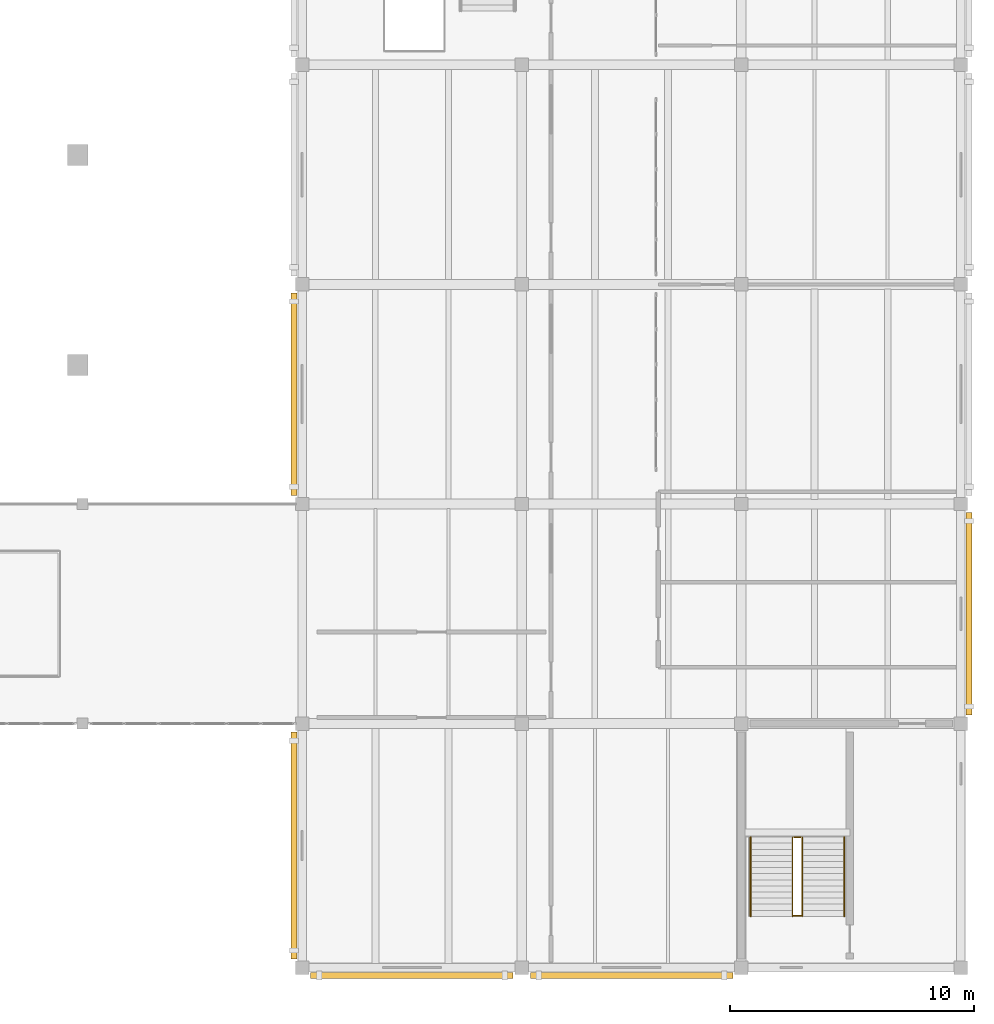
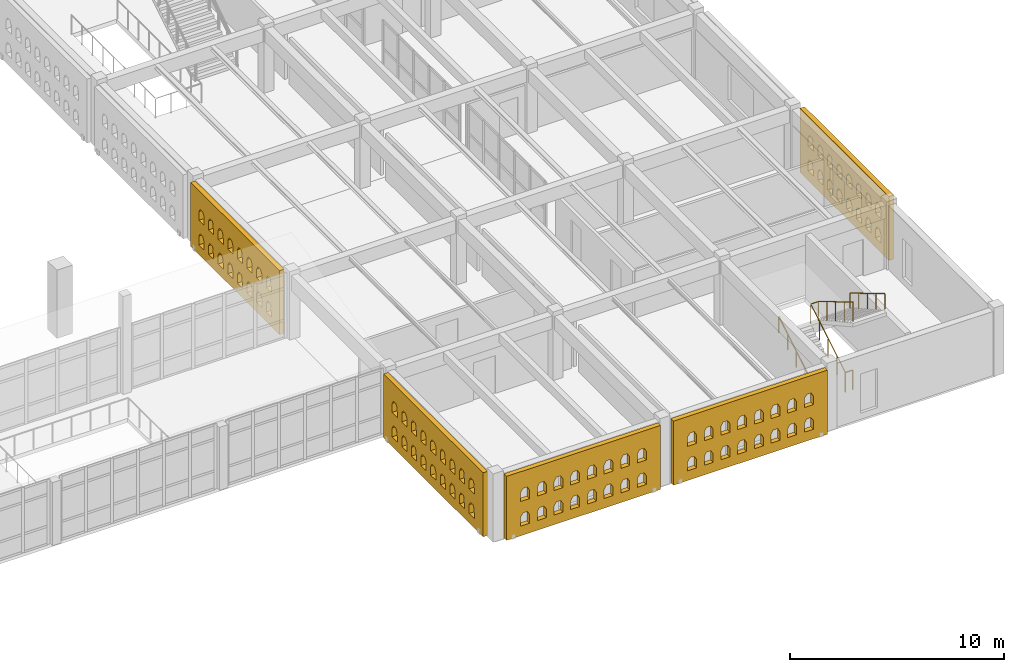
# One storey, part 152 of 156: 5 coverings, 4 railings.
"""IFC4 building model written with IfcOpenShell, lengths in metres."""

from ifc_helpers import new_model, si_unit, direction, frame, origin, origin_2d, place, context, subcontext, project, spatial, polyline, circle, outline, extrude, material, layer, layer_set, type_object, element, save


model = new_model("IFC4")

# Units and contexts
model_context = context("Model", 3, precision=1e-05, world=origin(), true_north=direction((0.0, 1.0)))
body_context = subcontext(model_context, "Body", "Model", "MODEL_VIEW")
ifc_project = project(units=[si_unit("LENGTHUNIT", "METRE"), si_unit("AREAUNIT", "SQUARE_METRE"), si_unit("VOLUMEUNIT", "CUBIC_METRE"), si_unit("PLANEANGLEUNIT", "RADIAN"), si_unit("MASSUNIT", "GRAM", prefix="KILO")], contexts=[model_context])

# Site, building, storey
site_placement = place(None, origin())
site = spatial("IfcSite", under=ifc_project, at=site_placement, CompositionType="ELEMENT")
building_placement = place(site_placement, origin())
building = spatial("IfcBuilding", under=site, at=building_placement, Name="Ornek Quay Market", CompositionType="ELEMENT")
storey_placement = place(building_placement, frame((0.0, 0.0, 4.5)))
storey = spatial("IfcBuildingStorey", under=building, at=storey_placement, Name="L01", CompositionType="ELEMENT", Elevation=4.5)

# Coverings
ifc_material_1 = material(Name="Frost-resistant facing clay brick M200 F100", Category="masonry")
ifc_layer = layer(ifc_material_1, 0.25, Name="Frost-resistant facing clay brick M200 F100", Category="masonry")
ifc_layer_set = layer_set([ifc_layer], Name="Frost-resistant facing clay brick M200 F100")
covering_type = type_object("IfcCoveringType", Name="COV-BRICK-LATTICE-250", PredefinedType="CLADDING", material=ifc_layer_set)
covering_1_placement = place(storey_placement, frame((152.669921875, 10.35009765625, 0.0), z_axis=(0.0, 0.0, 1.0), x_axis=(0.0, 1.0, 0.0)))
element("IfcCovering", 1, at=covering_1_placement, inside=storey, type_object=covering_type, Name="Arched brick lattice screen BLS-096", PredefinedType="CLADDING", context=body_context, shape_type="SweptSolid", body=[
    extrude(outline(polyline([(0.0, 0.0), (9.2998046875, 0.0), (9.2998046875, 3.64990234375), (0.0, 3.64990234375), (0.0, 0.0)]), holes=[polyline([(0.81005859375, 0.550048828125), (1.2900390625, 0.550048828125), (1.2900390625, 1.050048828125), (1.169921875, 1.2578125), (0.929931640625, 1.2578125), (0.81005859375, 1.050048828125), (0.81005859375, 0.550048828125)]), polyline([(0.81005859375, 1.949951171875), (1.2900390625, 1.949951171875), (1.2900390625, 2.449951171875), (1.169921875, 2.65771484375), (0.929931640625, 2.65771484375), (0.81005859375, 2.449951171875), (0.81005859375, 1.949951171875)]), polyline([(1.7099609375, 0.550048828125), (2.18994140625, 0.550048828125), (2.18994140625, 1.050048828125), (2.070068359375, 1.2578125), (1.830078125, 1.2578125), (1.7099609375, 1.050048828125), (1.7099609375, 0.550048828125)]), polyline([(1.7099609375, 1.949951171875), (2.18994140625, 1.949951171875), (2.18994140625, 2.449951171875), (2.070068359375, 2.65771484375), (1.830078125, 2.65771484375), (1.7099609375, 2.449951171875), (1.7099609375, 1.949951171875)]), polyline([(2.610107421875, 0.550048828125), (3.090087890625, 0.550048828125), (3.090087890625, 1.050048828125), (2.969970703125, 1.2578125), (2.72998046875, 1.2578125), (2.610107421875, 1.050048828125), (2.610107421875, 0.550048828125)]), polyline([(2.610107421875, 1.949951171875), (3.090087890625, 1.949951171875), (3.090087890625, 2.449951171875), (2.969970703125, 2.65771484375), (2.72998046875, 2.65771484375), (2.610107421875, 2.449951171875), (2.610107421875, 1.949951171875)]), polyline([(3.510009765625, 0.550048828125), (3.989990234375, 0.550048828125), (3.989990234375, 1.050048828125), (3.8701171875, 1.2578125), (3.6298828125, 1.2578125), (3.510009765625, 1.050048828125), (3.510009765625, 0.550048828125)]), polyline([(3.510009765625, 1.949951171875), (3.989990234375, 1.949951171875), (3.989990234375, 2.449951171875), (3.8701171875, 2.65771484375), (3.6298828125, 2.65771484375), (3.510009765625, 2.449951171875), (3.510009765625, 1.949951171875)]), polyline([(4.409912109375, 0.550048828125), (4.889892578125, 0.550048828125), (4.889892578125, 1.050048828125), (4.77001953125, 1.2578125), (4.530029296875, 1.2578125), (4.409912109375, 1.050048828125), (4.409912109375, 0.550048828125)]), polyline([(4.409912109375, 1.949951171875), (4.889892578125, 1.949951171875), (4.889892578125, 2.449951171875), (4.77001953125, 2.65771484375), (4.530029296875, 2.65771484375), (4.409912109375, 2.449951171875), (4.409912109375, 1.949951171875)]), polyline([(5.31005859375, 0.550048828125), (5.7900390625, 0.550048828125), (5.7900390625, 1.050048828125), (5.669921875, 1.2578125), (5.429931640625, 1.2578125), (5.31005859375, 1.050048828125), (5.31005859375, 0.550048828125)]), polyline([(5.31005859375, 1.949951171875), (5.7900390625, 1.949951171875), (5.7900390625, 2.449951171875), (5.669921875, 2.65771484375), (5.429931640625, 2.65771484375), (5.31005859375, 2.449951171875), (5.31005859375, 1.949951171875)]), polyline([(6.2099609375, 0.550048828125), (6.68994140625, 0.550048828125), (6.68994140625, 1.050048828125), (6.570068359375, 1.2578125), (6.330078125, 1.2578125), (6.2099609375, 1.050048828125), (6.2099609375, 0.550048828125)]), polyline([(6.2099609375, 1.949951171875), (6.68994140625, 1.949951171875), (6.68994140625, 2.449951171875), (6.570068359375, 2.65771484375), (6.330078125, 2.65771484375), (6.2099609375, 2.449951171875), (6.2099609375, 1.949951171875)]), polyline([(7.110107421875, 0.550048828125), (7.590087890625, 0.550048828125), (7.590087890625, 1.050048828125), (7.469970703125, 1.2578125), (7.22998046875, 1.2578125), (7.110107421875, 1.050048828125), (7.110107421875, 0.550048828125)]), polyline([(7.110107421875, 1.949951171875), (7.590087890625, 1.949951171875), (7.590087890625, 2.449951171875), (7.469970703125, 2.65771484375), (7.22998046875, 2.65771484375), (7.110107421875, 2.449951171875), (7.110107421875, 1.949951171875)]), polyline([(8.010009765625, 0.550048828125), (8.489990234375, 0.550048828125), (8.489990234375, 1.050048828125), (8.3701171875, 1.2578125), (8.1298828125, 1.2578125), (8.010009765625, 1.050048828125), (8.010009765625, 0.550048828125)]), polyline([(8.010009765625, 1.949951171875), (8.489990234375, 1.949951171875), (8.489990234375, 2.449951171875), (8.3701171875, 2.65771484375), (8.1298828125, 2.65771484375), (8.010009765625, 2.449951171875), (8.010009765625, 1.949951171875)])]), frame((0.0, 0.125, 0.0), z_axis=(0.0, -1.0, 0.0), x_axis=(1.0, 0.0, 0.0)), (0.0, 0.0, 1.0), 0.25),
])
covering_2_placement = place(storey_placement, frame((152.669921875, 29.35009765625, 0.0), z_axis=(0.0, 0.0, 1.0), x_axis=(0.0, 1.0, 0.0)))
element("IfcCovering", 2, at=covering_2_placement, inside=storey, type_object=covering_type, Name="Arched brick lattice screen BLS-097", PredefinedType="CLADDING", context=body_context, shape_type="SweptSolid", body=[
    extrude(outline(polyline([(0.0, 0.0), (8.2998046875, 0.0), (8.2998046875, 3.64990234375), (0.0, 3.64990234375), (0.0, 0.0)]), holes=[polyline([(0.760009765625, 0.550048828125), (1.239990234375, 0.550048828125), (1.239990234375, 1.050048828125), (1.1201171875, 1.2578125), (0.8798828125, 1.2578125), (0.760009765625, 1.050048828125), (0.760009765625, 0.550048828125)]), polyline([(0.760009765625, 1.949951171875), (1.239990234375, 1.949951171875), (1.239990234375, 2.449951171875), (1.1201171875, 2.65771484375), (0.8798828125, 2.65771484375), (0.760009765625, 2.449951171875), (0.760009765625, 1.949951171875)]), polyline([(1.659912109375, 0.550048828125), (2.139892578125, 0.550048828125), (2.139892578125, 1.050048828125), (2.02001953125, 1.2578125), (1.780029296875, 1.2578125), (1.659912109375, 1.050048828125), (1.659912109375, 0.550048828125)]), polyline([(1.659912109375, 1.949951171875), (2.139892578125, 1.949951171875), (2.139892578125, 2.449951171875), (2.02001953125, 2.65771484375), (1.780029296875, 2.65771484375), (1.659912109375, 2.449951171875), (1.659912109375, 1.949951171875)]), polyline([(2.56005859375, 0.550048828125), (3.0400390625, 0.550048828125), (3.0400390625, 1.050048828125), (2.919921875, 1.2578125), (2.679931640625, 1.2578125), (2.56005859375, 1.050048828125), (2.56005859375, 0.550048828125)]), polyline([(2.56005859375, 1.949951171875), (3.0400390625, 1.949951171875), (3.0400390625, 2.449951171875), (2.919921875, 2.65771484375), (2.679931640625, 2.65771484375), (2.56005859375, 2.449951171875), (2.56005859375, 1.949951171875)]), polyline([(3.4599609375, 0.550048828125), (3.93994140625, 0.550048828125), (3.93994140625, 1.050048828125), (3.820068359375, 1.2578125), (3.580078125, 1.2578125), (3.4599609375, 1.050048828125), (3.4599609375, 0.550048828125)]), polyline([(3.4599609375, 1.949951171875), (3.93994140625, 1.949951171875), (3.93994140625, 2.449951171875), (3.820068359375, 2.65771484375), (3.580078125, 2.65771484375), (3.4599609375, 2.449951171875), (3.4599609375, 1.949951171875)]), polyline([(4.360107421875, 0.550048828125), (4.840087890625, 0.550048828125), (4.840087890625, 1.050048828125), (4.719970703125, 1.2578125), (4.47998046875, 1.2578125), (4.360107421875, 1.050048828125), (4.360107421875, 0.550048828125)]), polyline([(4.360107421875, 1.949951171875), (4.840087890625, 1.949951171875), (4.840087890625, 2.449951171875), (4.719970703125, 2.65771484375), (4.47998046875, 2.65771484375), (4.360107421875, 2.449951171875), (4.360107421875, 1.949951171875)]), polyline([(5.260009765625, 0.550048828125), (5.739990234375, 0.550048828125), (5.739990234375, 1.050048828125), (5.6201171875, 1.2578125), (5.3798828125, 1.2578125), (5.260009765625, 1.050048828125), (5.260009765625, 0.550048828125)]), polyline([(5.260009765625, 1.949951171875), (5.739990234375, 1.949951171875), (5.739990234375, 2.449951171875), (5.6201171875, 2.65771484375), (5.3798828125, 2.65771484375), (5.260009765625, 2.449951171875), (5.260009765625, 1.949951171875)]), polyline([(6.159912109375, 0.550048828125), (6.639892578125, 0.550048828125), (6.639892578125, 1.050048828125), (6.52001953125, 1.2578125), (6.280029296875, 1.2578125), (6.159912109375, 1.050048828125), (6.159912109375, 0.550048828125)]), polyline([(6.159912109375, 1.949951171875), (6.639892578125, 1.949951171875), (6.639892578125, 2.449951171875), (6.52001953125, 2.65771484375), (6.280029296875, 2.65771484375), (6.159912109375, 2.449951171875), (6.159912109375, 1.949951171875)]), polyline([(7.06005859375, 0.550048828125), (7.5400390625, 0.550048828125), (7.5400390625, 1.050048828125), (7.419921875, 1.2578125), (7.179931640625, 1.2578125), (7.06005859375, 1.050048828125), (7.06005859375, 0.550048828125)]), polyline([(7.06005859375, 1.949951171875), (7.5400390625, 1.949951171875), (7.5400390625, 2.449951171875), (7.419921875, 2.65771484375), (7.179931640625, 2.65771484375), (7.06005859375, 2.449951171875), (7.06005859375, 1.949951171875)])]), frame((0.0, 0.125, 0.0), z_axis=(0.0, -1.0, 0.0), x_axis=(1.0, 0.0, 0.0)), (0.0, 0.0, 1.0), 0.25),
])
covering_3_placement = place(storey_placement, frame((180.330078125, 20.35009765625, 0.0), z_axis=(0.0, 0.0, 1.0), x_axis=(0.0, 1.0, 0.0)))
element("IfcCovering", 3, at=covering_3_placement, inside=storey, type_object=covering_type, Name="Arched brick lattice screen BLS-101", PredefinedType="CLADDING", context=body_context, shape_type="SweptSolid", body=[
    extrude(outline(polyline([(0.0, 0.0), (8.2998046875, 0.0), (8.2998046875, 3.64990234375), (0.0, 3.64990234375), (0.0, 0.0)]), holes=[polyline([(0.760009765625, 0.550048828125), (1.239990234375, 0.550048828125), (1.239990234375, 1.050048828125), (1.1201171875, 1.2578125), (0.8798828125, 1.2578125), (0.760009765625, 1.050048828125), (0.760009765625, 0.550048828125)]), polyline([(0.760009765625, 1.949951171875), (1.239990234375, 1.949951171875), (1.239990234375, 2.449951171875), (1.1201171875, 2.65771484375), (0.8798828125, 2.65771484375), (0.760009765625, 2.449951171875), (0.760009765625, 1.949951171875)]), polyline([(1.659912109375, 0.550048828125), (2.139892578125, 0.550048828125), (2.139892578125, 1.050048828125), (2.02001953125, 1.2578125), (1.780029296875, 1.2578125), (1.659912109375, 1.050048828125), (1.659912109375, 0.550048828125)]), polyline([(1.659912109375, 1.949951171875), (2.139892578125, 1.949951171875), (2.139892578125, 2.449951171875), (2.02001953125, 2.65771484375), (1.780029296875, 2.65771484375), (1.659912109375, 2.449951171875), (1.659912109375, 1.949951171875)]), polyline([(2.56005859375, 0.550048828125), (3.0400390625, 0.550048828125), (3.0400390625, 1.050048828125), (2.919921875, 1.2578125), (2.679931640625, 1.2578125), (2.56005859375, 1.050048828125), (2.56005859375, 0.550048828125)]), polyline([(2.56005859375, 1.949951171875), (3.0400390625, 1.949951171875), (3.0400390625, 2.449951171875), (2.919921875, 2.65771484375), (2.679931640625, 2.65771484375), (2.56005859375, 2.449951171875), (2.56005859375, 1.949951171875)]), polyline([(3.4599609375, 0.550048828125), (3.93994140625, 0.550048828125), (3.93994140625, 1.050048828125), (3.820068359375, 1.2578125), (3.580078125, 1.2578125), (3.4599609375, 1.050048828125), (3.4599609375, 0.550048828125)]), polyline([(3.4599609375, 1.949951171875), (3.93994140625, 1.949951171875), (3.93994140625, 2.449951171875), (3.820068359375, 2.65771484375), (3.580078125, 2.65771484375), (3.4599609375, 2.449951171875), (3.4599609375, 1.949951171875)]), polyline([(4.360107421875, 0.550048828125), (4.840087890625, 0.550048828125), (4.840087890625, 1.050048828125), (4.719970703125, 1.2578125), (4.47998046875, 1.2578125), (4.360107421875, 1.050048828125), (4.360107421875, 0.550048828125)]), polyline([(4.360107421875, 1.949951171875), (4.840087890625, 1.949951171875), (4.840087890625, 2.449951171875), (4.719970703125, 2.65771484375), (4.47998046875, 2.65771484375), (4.360107421875, 2.449951171875), (4.360107421875, 1.949951171875)]), polyline([(5.260009765625, 0.550048828125), (5.739990234375, 0.550048828125), (5.739990234375, 1.050048828125), (5.6201171875, 1.2578125), (5.3798828125, 1.2578125), (5.260009765625, 1.050048828125), (5.260009765625, 0.550048828125)]), polyline([(5.260009765625, 1.949951171875), (5.739990234375, 1.949951171875), (5.739990234375, 2.449951171875), (5.6201171875, 2.65771484375), (5.3798828125, 2.65771484375), (5.260009765625, 2.449951171875), (5.260009765625, 1.949951171875)]), polyline([(6.159912109375, 0.550048828125), (6.639892578125, 0.550048828125), (6.639892578125, 1.050048828125), (6.52001953125, 1.2578125), (6.280029296875, 1.2578125), (6.159912109375, 1.050048828125), (6.159912109375, 0.550048828125)]), polyline([(6.159912109375, 1.949951171875), (6.639892578125, 1.949951171875), (6.639892578125, 2.449951171875), (6.52001953125, 2.65771484375), (6.280029296875, 2.65771484375), (6.159912109375, 2.449951171875), (6.159912109375, 1.949951171875)]), polyline([(7.06005859375, 0.550048828125), (7.5400390625, 0.550048828125), (7.5400390625, 1.050048828125), (7.419921875, 1.2578125), (7.179931640625, 1.2578125), (7.06005859375, 1.050048828125), (7.06005859375, 0.550048828125)]), polyline([(7.06005859375, 1.949951171875), (7.5400390625, 1.949951171875), (7.5400390625, 2.449951171875), (7.419921875, 2.65771484375), (7.179931640625, 2.65771484375), (7.06005859375, 2.449951171875), (7.06005859375, 1.949951171875)])]), frame((0.0, 0.125, 0.0), z_axis=(0.0, -1.0, 0.0), x_axis=(1.0, 0.0, 0.0)), (0.0, 0.0, 1.0), 0.25),
])
covering_4_placement = place(storey_placement, frame((153.35009765625, 9.669921875, 0.0), z_axis=(0.0, 0.0, 1.0), x_axis=(1.0, 0.0, 0.0)))
element("IfcCovering", 4, at=covering_4_placement, inside=storey, type_object=covering_type, Name="Arched brick lattice screen BLS-106", PredefinedType="CLADDING", context=body_context, shape_type="SweptSolid", body=[
    extrude(outline(polyline([(0.0, 0.0), (8.2998046875, 0.0), (8.2998046875, 3.64990234375), (0.0, 3.64990234375), (0.0, 0.0)]), holes=[polyline([(0.760009765625, 0.550048828125), (1.239990234375, 0.550048828125), (1.239990234375, 1.050048828125), (1.1201171875, 1.2578125), (0.8798828125, 1.2578125), (0.760009765625, 1.050048828125), (0.760009765625, 0.550048828125)]), polyline([(0.760009765625, 1.949951171875), (1.239990234375, 1.949951171875), (1.239990234375, 2.449951171875), (1.1201171875, 2.65771484375), (0.8798828125, 2.65771484375), (0.760009765625, 2.449951171875), (0.760009765625, 1.949951171875)]), polyline([(1.659912109375, 0.550048828125), (2.139892578125, 0.550048828125), (2.139892578125, 1.050048828125), (2.02001953125, 1.2578125), (1.780029296875, 1.2578125), (1.659912109375, 1.050048828125), (1.659912109375, 0.550048828125)]), polyline([(1.659912109375, 1.949951171875), (2.139892578125, 1.949951171875), (2.139892578125, 2.449951171875), (2.02001953125, 2.65771484375), (1.780029296875, 2.65771484375), (1.659912109375, 2.449951171875), (1.659912109375, 1.949951171875)]), polyline([(2.56005859375, 0.550048828125), (3.0400390625, 0.550048828125), (3.0400390625, 1.050048828125), (2.919921875, 1.2578125), (2.679931640625, 1.2578125), (2.56005859375, 1.050048828125), (2.56005859375, 0.550048828125)]), polyline([(2.56005859375, 1.949951171875), (3.0400390625, 1.949951171875), (3.0400390625, 2.449951171875), (2.919921875, 2.65771484375), (2.679931640625, 2.65771484375), (2.56005859375, 2.449951171875), (2.56005859375, 1.949951171875)]), polyline([(3.4599609375, 0.550048828125), (3.93994140625, 0.550048828125), (3.93994140625, 1.050048828125), (3.820068359375, 1.2578125), (3.580078125, 1.2578125), (3.4599609375, 1.050048828125), (3.4599609375, 0.550048828125)]), polyline([(3.4599609375, 1.949951171875), (3.93994140625, 1.949951171875), (3.93994140625, 2.449951171875), (3.820068359375, 2.65771484375), (3.580078125, 2.65771484375), (3.4599609375, 2.449951171875), (3.4599609375, 1.949951171875)]), polyline([(4.360107421875, 0.550048828125), (4.840087890625, 0.550048828125), (4.840087890625, 1.050048828125), (4.719970703125, 1.2578125), (4.47998046875, 1.2578125), (4.360107421875, 1.050048828125), (4.360107421875, 0.550048828125)]), polyline([(4.360107421875, 1.949951171875), (4.840087890625, 1.949951171875), (4.840087890625, 2.449951171875), (4.719970703125, 2.65771484375), (4.47998046875, 2.65771484375), (4.360107421875, 2.449951171875), (4.360107421875, 1.949951171875)]), polyline([(5.260009765625, 0.550048828125), (5.739990234375, 0.550048828125), (5.739990234375, 1.050048828125), (5.6201171875, 1.2578125), (5.3798828125, 1.2578125), (5.260009765625, 1.050048828125), (5.260009765625, 0.550048828125)]), polyline([(5.260009765625, 1.949951171875), (5.739990234375, 1.949951171875), (5.739990234375, 2.449951171875), (5.6201171875, 2.65771484375), (5.3798828125, 2.65771484375), (5.260009765625, 2.449951171875), (5.260009765625, 1.949951171875)]), polyline([(6.159912109375, 0.550048828125), (6.639892578125, 0.550048828125), (6.639892578125, 1.050048828125), (6.52001953125, 1.2578125), (6.280029296875, 1.2578125), (6.159912109375, 1.050048828125), (6.159912109375, 0.550048828125)]), polyline([(6.159912109375, 1.949951171875), (6.639892578125, 1.949951171875), (6.639892578125, 2.449951171875), (6.52001953125, 2.65771484375), (6.280029296875, 2.65771484375), (6.159912109375, 2.449951171875), (6.159912109375, 1.949951171875)]), polyline([(7.06005859375, 0.550048828125), (7.5400390625, 0.550048828125), (7.5400390625, 1.050048828125), (7.419921875, 1.2578125), (7.179931640625, 1.2578125), (7.06005859375, 1.050048828125), (7.06005859375, 0.550048828125)]), polyline([(7.06005859375, 1.949951171875), (7.5400390625, 1.949951171875), (7.5400390625, 2.449951171875), (7.419921875, 2.65771484375), (7.179931640625, 2.65771484375), (7.06005859375, 2.449951171875), (7.06005859375, 1.949951171875)])]), frame((0.0, 0.125, 0.0), z_axis=(0.0, -1.0, 0.0), x_axis=(1.0, 0.0, 0.0)), (0.0, 0.0, 1.0), 0.25),
])
covering_5_placement = place(storey_placement, frame((162.35009765625, 9.669921875, 0.0), z_axis=(0.0, 0.0, 1.0), x_axis=(1.0, 0.0, 0.0)))
element("IfcCovering", 5, at=covering_5_placement, inside=storey, type_object=covering_type, Name="Arched brick lattice screen BLS-107", PredefinedType="CLADDING", context=body_context, shape_type="SweptSolid", body=[
    extrude(outline(polyline([(0.0, 0.0), (8.2998046875, 0.0), (8.2998046875, 3.64990234375), (0.0, 3.64990234375), (0.0, 0.0)]), holes=[polyline([(0.760009765625, 0.550048828125), (1.239990234375, 0.550048828125), (1.239990234375, 1.050048828125), (1.1201171875, 1.2578125), (0.8798828125, 1.2578125), (0.760009765625, 1.050048828125), (0.760009765625, 0.550048828125)]), polyline([(0.760009765625, 1.949951171875), (1.239990234375, 1.949951171875), (1.239990234375, 2.449951171875), (1.1201171875, 2.65771484375), (0.8798828125, 2.65771484375), (0.760009765625, 2.449951171875), (0.760009765625, 1.949951171875)]), polyline([(1.659912109375, 0.550048828125), (2.139892578125, 0.550048828125), (2.139892578125, 1.050048828125), (2.02001953125, 1.2578125), (1.780029296875, 1.2578125), (1.659912109375, 1.050048828125), (1.659912109375, 0.550048828125)]), polyline([(1.659912109375, 1.949951171875), (2.139892578125, 1.949951171875), (2.139892578125, 2.449951171875), (2.02001953125, 2.65771484375), (1.780029296875, 2.65771484375), (1.659912109375, 2.449951171875), (1.659912109375, 1.949951171875)]), polyline([(2.56005859375, 0.550048828125), (3.0400390625, 0.550048828125), (3.0400390625, 1.050048828125), (2.919921875, 1.2578125), (2.679931640625, 1.2578125), (2.56005859375, 1.050048828125), (2.56005859375, 0.550048828125)]), polyline([(2.56005859375, 1.949951171875), (3.0400390625, 1.949951171875), (3.0400390625, 2.449951171875), (2.919921875, 2.65771484375), (2.679931640625, 2.65771484375), (2.56005859375, 2.449951171875), (2.56005859375, 1.949951171875)]), polyline([(3.4599609375, 0.550048828125), (3.93994140625, 0.550048828125), (3.93994140625, 1.050048828125), (3.820068359375, 1.2578125), (3.580078125, 1.2578125), (3.4599609375, 1.050048828125), (3.4599609375, 0.550048828125)]), polyline([(3.4599609375, 1.949951171875), (3.93994140625, 1.949951171875), (3.93994140625, 2.449951171875), (3.820068359375, 2.65771484375), (3.580078125, 2.65771484375), (3.4599609375, 2.449951171875), (3.4599609375, 1.949951171875)]), polyline([(4.360107421875, 0.550048828125), (4.840087890625, 0.550048828125), (4.840087890625, 1.050048828125), (4.719970703125, 1.2578125), (4.47998046875, 1.2578125), (4.360107421875, 1.050048828125), (4.360107421875, 0.550048828125)]), polyline([(4.360107421875, 1.949951171875), (4.840087890625, 1.949951171875), (4.840087890625, 2.449951171875), (4.719970703125, 2.65771484375), (4.47998046875, 2.65771484375), (4.360107421875, 2.449951171875), (4.360107421875, 1.949951171875)]), polyline([(5.260009765625, 0.550048828125), (5.739990234375, 0.550048828125), (5.739990234375, 1.050048828125), (5.6201171875, 1.2578125), (5.3798828125, 1.2578125), (5.260009765625, 1.050048828125), (5.260009765625, 0.550048828125)]), polyline([(5.260009765625, 1.949951171875), (5.739990234375, 1.949951171875), (5.739990234375, 2.449951171875), (5.6201171875, 2.65771484375), (5.3798828125, 2.65771484375), (5.260009765625, 2.449951171875), (5.260009765625, 1.949951171875)]), polyline([(6.159912109375, 0.550048828125), (6.639892578125, 0.550048828125), (6.639892578125, 1.050048828125), (6.52001953125, 1.2578125), (6.280029296875, 1.2578125), (6.159912109375, 1.050048828125), (6.159912109375, 0.550048828125)]), polyline([(6.159912109375, 1.949951171875), (6.639892578125, 1.949951171875), (6.639892578125, 2.449951171875), (6.52001953125, 2.65771484375), (6.280029296875, 2.65771484375), (6.159912109375, 2.449951171875), (6.159912109375, 1.949951171875)]), polyline([(7.06005859375, 0.550048828125), (7.5400390625, 0.550048828125), (7.5400390625, 1.050048828125), (7.419921875, 1.2578125), (7.179931640625, 1.2578125), (7.06005859375, 1.050048828125), (7.06005859375, 0.550048828125)]), polyline([(7.06005859375, 1.949951171875), (7.5400390625, 1.949951171875), (7.5400390625, 2.449951171875), (7.419921875, 2.65771484375), (7.179931640625, 2.65771484375), (7.06005859375, 2.449951171875), (7.06005859375, 1.949951171875)])]), frame((0.0, 0.125, 0.0), z_axis=(0.0, -1.0, 0.0), x_axis=(1.0, 0.0, 0.0)), (0.0, 0.0, 1.0), 0.25),
])

# Railings
ifc_material_2 = material(Name="Brushed stainless steel 316", Category="steel")
railing_type_1 = type_object("IfcRailingType", Name="RL-GUARD-STAIR-1100", PredefinedType="GUARDRAIL", material=ifc_material_2)
railing_1_placement = place(storey_placement, frame((173.10009765625, 12.1201171875, 0.0)))
element("IfcRailing", 6, at=railing_1_placement, inside=storey, type_object=railing_type_1, Name="Railing GR-03-056", PredefinedType="GUARDRAIL", context=body_context, shape_type="SweptSolid", body=[
    extrude(circle(Radius=0.02392578125, at=origin_2d()), frame((0.0, 0.0, 1.09619140625), z_axis=(1.0, 0.0, 0.0), x_axis=(0.0, 1.0, 0.0)), (0.0, 0.0, 1.0), 0.39990234375),
    extrude(circle(Radius=0.02099609375, at=origin_2d()), origin(), (0.0, 0.0, 1.0), 1.068115234375),
    extrude(circle(Radius=0.02099609375, at=origin_2d()), frame((0.39990234375, 0.0, 0.0)), (0.0, 0.0, 1.0), 1.068115234375),
])
railing_2_placement = place(storey_placement, frame((173.10009765625, 12.095947265625, 0.0)))
element("IfcRailing", 7, at=railing_2_placement, inside=storey, type_object=railing_type_1, Name="Railing GR-03-057", PredefinedType="GUARDRAIL", context=body_context, shape_type="SweptSolid", body=[
    extrude(circle(Radius=0.02392578125, at=origin_2d()), frame((0.0, 0.0, 1.09619140625), z_axis=(0.0, 0.857225438961, 0.514941304226), x_axis=(-1.0, 0.0, 0.0)), (0.0, 0.0, 1.0), 3.7568359375),
    extrude(circle(Radius=0.02392578125, at=origin_2d()), frame((0.030029296875, 3.24609375, 3.0458984375), z_axis=(1.0, 0.0, 0.0), x_axis=(0.0, 1.0, 0.0)), (0.0, 0.0, 1.0), 0.33984375),
    extrude(circle(Radius=0.02392578125, at=origin_2d()), frame((0.39990234375, 3.220458984375, 3.0615234375), z_axis=(0.0, -0.856934400257, 0.515425487977), x_axis=(1.0, 0.0, 0.0)), (0.0, 0.0, 1.0), 3.753173828125),
    extrude(circle(Radius=0.02099609375, at=origin_2d()), origin(), (0.0, 0.0, 1.0), 1.068115234375),
    extrude(circle(Radius=0.02099609375, at=origin_2d()), frame((0.0, 0.8115234375, 0.487548828125)), (0.0, 0.0, 1.0), 1.068115234375),
    extrude(circle(Radius=0.02099609375, at=origin_2d()), frame((0.0, 1.623046875, 0.97509765625)), (0.0, 0.0, 1.0), 1.068115234375),
    extrude(circle(Radius=0.02099609375, at=origin_2d()), frame((0.0, 2.4345703125, 1.46240234375)), (0.0, 0.0, 1.0), 1.068115234375),
    extrude(circle(Radius=0.02099609375, at=origin_2d()), frame((0.0, 3.24609375, 1.949951171875)), (0.0, 0.0, 1.0), 1.068115234375),
    extrude(circle(Radius=0.02099609375, at=origin_2d()), frame((0.39990234375, 3.24609375, 1.949951171875)), (0.0, 0.0, 1.0), 1.068115234375),
    extrude(circle(Radius=0.02099609375, at=origin_2d()), frame((0.39990234375, 2.435546875, 2.4375)), (0.0, 0.0, 1.0), 1.068115234375),
    extrude(circle(Radius=0.02099609375, at=origin_2d()), frame((0.39990234375, 1.625, 2.9248046875)), (0.0, 0.0, 1.0), 1.068115234375),
    extrude(circle(Radius=0.02099609375, at=origin_2d()), frame((0.39990234375, 0.814697265625, 3.412353515625)), (0.0, 0.0, 1.0), 1.068115234375),
    extrude(circle(Radius=0.02099609375, at=origin_2d()), frame((0.39990234375, 0.004150390625, 3.89990234375)), (0.0, 0.0, 1.0), 1.068115234375),
])
railing_type_2 = type_object("IfcRailingType", Name="RL-HANDRAIL-920", PredefinedType="HANDRAIL", material=ifc_material_2)
railing_3_placement = place(storey_placement, frame((171.3798828125, 12.095947265625, 0.080078125)))
element("IfcRailing", 8, at=railing_3_placement, inside=storey, type_object=railing_type_2, Name="Railing HR-01-058", PredefinedType="HANDRAIL", context=body_context, shape_type="SweptSolid", body=[
    extrude(circle(Radius=0.02392578125, at=origin_2d()), frame((0.0, 0.0, 0.89599609375), z_axis=(0.0, 0.857225438961, 0.514941304226), x_axis=(-1.0, 0.0, 0.0)), (0.0, 0.0, 1.0), 3.786865234375),
    extrude(circle(Radius=0.02099609375, at=origin_2d()), origin(), (0.0, 0.0, 1.0), 0.867919921875),
    extrude(circle(Radius=0.02099609375, at=origin_2d()), frame((0.0, 0.8115234375, 0.487548828125)), (0.0, 0.0, 1.0), 0.867919921875),
    extrude(circle(Radius=0.02099609375, at=origin_2d()), frame((0.0, 1.623046875, 0.97509765625)), (0.0, 0.0, 1.0), 0.867919921875),
    extrude(circle(Radius=0.02099609375, at=origin_2d()), frame((0.0, 2.4345703125, 1.46240234375)), (0.0, 0.0, 1.0), 0.867919921875),
    extrude(circle(Radius=0.02099609375, at=origin_2d()), frame((0.0, 3.24609375, 1.949951171875)), (0.0, 0.0, 1.0), 0.867919921875),
])
railing_4_placement = place(storey_placement, frame((175.219970703125, 15.342041015625, 2.030029296875)))
element("IfcRailing", 9, at=railing_4_placement, inside=storey, type_object=railing_type_2, Name="Railing HR-01-059", PredefinedType="HANDRAIL", context=body_context, shape_type="SweptSolid", body=[
    extrude(circle(Radius=0.02392578125, at=origin_2d()), frame((0.0, 0.0, 0.89599609375), z_axis=(0.0, -0.856934400257, 0.515425487977), x_axis=(1.0, 0.0, 0.0)), (0.0, 0.0, 1.0), 3.783203125),
    extrude(circle(Radius=0.02099609375, at=origin_2d()), origin(), (0.0, 0.0, 1.0), 0.867919921875),
    extrude(circle(Radius=0.02099609375, at=origin_2d()), frame((0.0, -0.810546875, 0.487548828125)), (0.0, 0.0, 1.0), 0.867919921875),
    extrude(circle(Radius=0.02099609375, at=origin_2d()), frame((0.0, -1.62109375, 0.97509765625)), (0.0, 0.0, 1.0), 0.867919921875),
    extrude(circle(Radius=0.02099609375, at=origin_2d()), frame((0.0, -2.431396484375, 1.46240234375)), (0.0, 0.0, 1.0), 0.867919921875),
    extrude(circle(Radius=0.02099609375, at=origin_2d()), frame((0.0, -3.241943359375, 1.949951171875)), (0.0, 0.0, 1.0), 0.867919921875),
])

save(model, "model.ifc")
